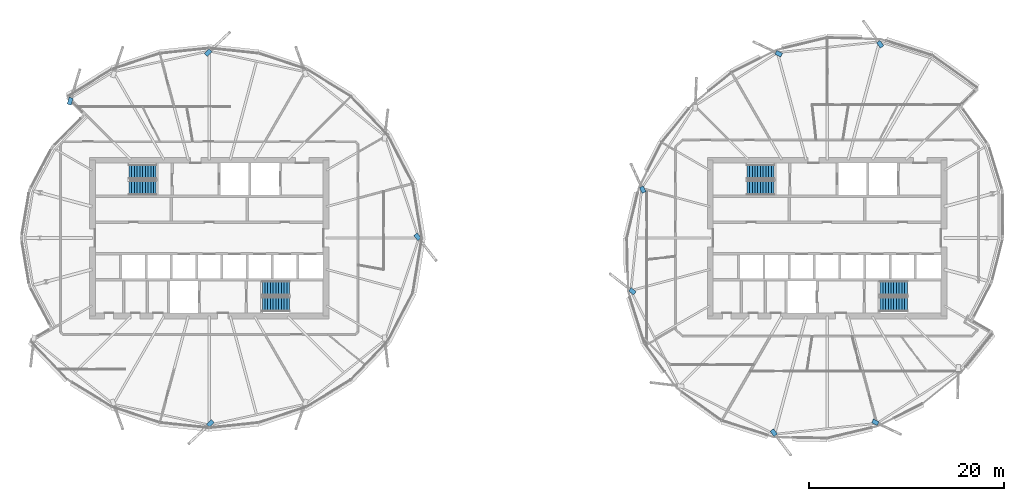
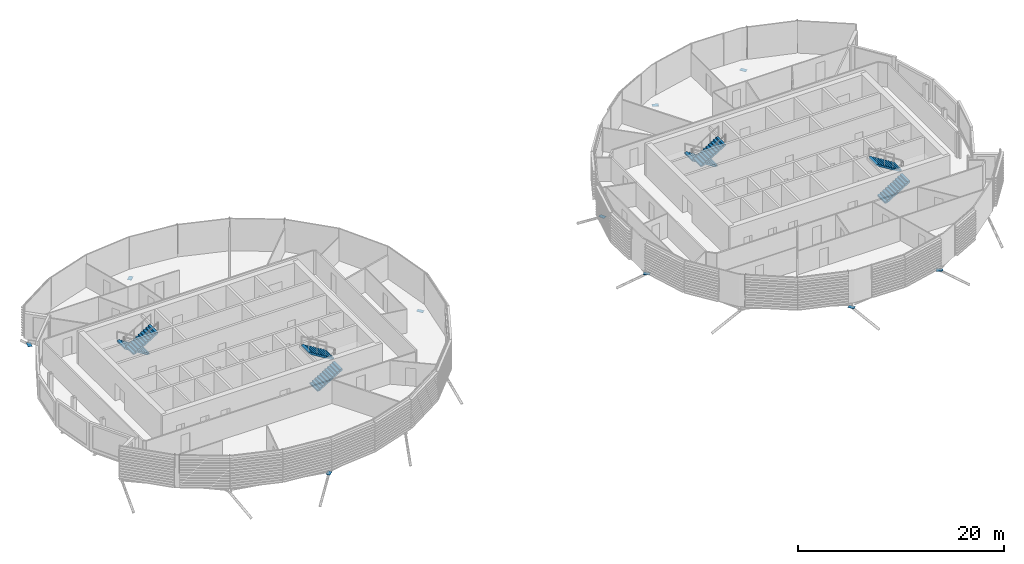
# One storey, part 25 of 36: 10 discrete accessories, 8 stair flights, 4 elements without a shape of their own.
"""IFC4 building model written with IfcOpenShell, lengths in metres."""

from ifc_helpers import new_model, si_unit, direction, frame, origin, origin_2d, place, context, subcontext, project, spatial, polyline, rectangle, outline, extrude, material, material_profile, profile_set, type_object, element, aggregate, save


model = new_model("IFC4")

# Units and contexts
model_context = context("Model", 3, precision=1e-05, world=origin(), true_north=direction((0.0, 1.0)))
body_context = subcontext(model_context, "Body", "Model", "MODEL_VIEW")
ifc_project = project(units=[si_unit("LENGTHUNIT", "METRE"), si_unit("AREAUNIT", "SQUARE_METRE"), si_unit("VOLUMEUNIT", "CUBIC_METRE"), si_unit("PLANEANGLEUNIT", "RADIAN"), si_unit("MASSUNIT", "GRAM", prefix="KILO")], contexts=[model_context])

# Site, building, storey
site_placement = place(None, origin())
site = spatial("IfcSite", under=ifc_project, at=site_placement, CompositionType="ELEMENT")
building_placement = place(site_placement, origin())
building = spatial("IfcBuilding", under=site, at=building_placement, Name="Rimbun Link Towers", CompositionType="ELEMENT")
storey_placement = place(building_placement, frame((0.0, 0.0, 189.300048828125)))
storey = spatial("IfcBuildingStorey", under=building, at=storey_placement, Name="L46", CompositionType="ELEMENT", Elevation=189.300048828125)

# Stair, stair flights
ifc_material_1 = material(Name="Concrete C40/50", Category="concrete")
stair_type = type_object("IfcStairType", Name="Exit stair 3800 rise", PredefinedType="HALF_TURN_STAIR", material=ifc_material_1)
stair_1_placement = place(storey_placement, origin())
stair_1 = element("IfcStair", 1, at=stair_1_placement, inside=storey, type_object=stair_type, Name="L46 EXIT STAIR A", PredefinedType="HALF_TURN_STAIR")
ifc_material_2 = material(Name="Concrete C40/50", Category="concrete")
stair_flight_type = type_object("IfcStairFlightType", Name="Exit stair flight 3800 rise", PredefinedType="STRAIGHT", material=ifc_material_2)
stair_flight_1_placement = place(storey_placement, frame((-37.199951171875, 6.800048828125, 0.0), z_axis=(0.0, 0.0, 1.0), x_axis=(-1.0, 0.0, 0.0)))
stair_flight_1 = element("IfcStairFlight", 2, at=stair_flight_1_placement, type_object=stair_flight_type, Name="ST1 flight 1", NumberOfRisers=11, NumberOfTreads=10, PredefinedType="STRAIGHT", RiserHeight=0.172727273, TreadLength=0.28, context=body_context, shape_type="SweptSolid", body=[
    extrude(outline(polyline([(0.0, 0.0), (0.0, 0.172607421875), (0.280029296875, 0.172607421875), (0.280029296875, 0.345458984375), (0.56005859375, 0.345458984375), (0.56005859375, 0.51806640625), (0.840087890625, 0.51806640625), (0.840087890625, 0.69091796875), (1.1201171875, 0.69091796875), (1.1201171875, 0.863525390625), (1.39990234375, 0.863525390625), (1.39990234375, 1.036376953125), (1.679931640625, 1.036376953125), (1.679931640625, 1.208984375), (1.9599609375, 1.208984375), (1.9599609375, 1.3818359375), (2.239990234375, 1.3818359375), (2.239990234375, 1.554443359375), (2.52001953125, 1.554443359375), (2.52001953125, 1.727294921875), (2.800048828125, 1.727294921875), (2.800048828125, 1.89990234375), (2.800048828125, 1.551025390625), (0.280029296875, 0.0), (0.0, 0.0)])), frame((0.0, 0.75, 0.0), z_axis=(0.0, -1.0, 0.0), x_axis=(1.0, 0.0, 0.0)), (0.0, 0.0, 1.0), 1.5),
])
stair_flight_2_placement = place(storey_placement, frame((-40.0, 5.14990234375, 1.89990234375), z_axis=(0.0, 0.0, 1.0), x_axis=(1.0, 0.0, 0.0)))
stair_flight_2 = element("IfcStairFlight", 3, at=stair_flight_2_placement, type_object=stair_flight_type, Name="ST1 flight 2", NumberOfRisers=11, NumberOfTreads=10, PredefinedType="STRAIGHT", RiserHeight=0.172727273, TreadLength=0.28, context=body_context, shape_type="SweptSolid", body=[
    extrude(outline(polyline([(0.0, 0.0), (0.0, 0.172607421875), (0.280029296875, 0.172607421875), (0.280029296875, 0.345458984375), (0.56005859375, 0.345458984375), (0.56005859375, 0.51806640625), (0.840087890625, 0.51806640625), (0.840087890625, 0.69091796875), (1.1201171875, 0.69091796875), (1.1201171875, 0.863525390625), (1.39990234375, 0.863525390625), (1.39990234375, 1.036376953125), (1.679931640625, 1.036376953125), (1.679931640625, 1.208984375), (1.9599609375, 1.208984375), (1.9599609375, 1.3818359375), (2.239990234375, 1.3818359375), (2.239990234375, 1.554443359375), (2.52001953125, 1.554443359375), (2.52001953125, 1.727294921875), (2.800048828125, 1.727294921875), (2.800048828125, 1.89990234375), (2.800048828125, 1.551025390625), (0.280029296875, 0.0), (0.0, 0.0)])), frame((0.0, 0.75, 0.0), z_axis=(0.0, -1.0, 0.0), x_axis=(1.0, 0.0, 0.0)), (0.0, 0.0, 1.0), 1.5),
])
aggregate(stair_1, [stair_flight_1, stair_flight_2])

stair_2_placement = place(storey_placement, origin())
stair_2 = element("IfcStair", 4, at=stair_2_placement, inside=storey, type_object=stair_type, Name="L46 EXIT STAIR B", PredefinedType="HALF_TURN_STAIR")
stair_flight_3_placement = place(storey_placement, frame((-26.300048828125, -6.800048828125, 0.0), z_axis=(0.0, 0.0, 1.0), x_axis=(1.0, 0.0, 0.0)))
stair_flight_3 = element("IfcStairFlight", 5, at=stair_flight_3_placement, type_object=stair_flight_type, Name="ST2 flight 1", NumberOfRisers=11, NumberOfTreads=10, PredefinedType="STRAIGHT", RiserHeight=0.172727273, TreadLength=0.28, context=body_context, shape_type="SweptSolid", body=[
    extrude(outline(polyline([(0.0, 0.0), (0.0, 0.172607421875), (0.280029296875, 0.172607421875), (0.280029296875, 0.345458984375), (0.56005859375, 0.345458984375), (0.56005859375, 0.51806640625), (0.840087890625, 0.51806640625), (0.840087890625, 0.69091796875), (1.1201171875, 0.69091796875), (1.1201171875, 0.863525390625), (1.39990234375, 0.863525390625), (1.39990234375, 1.036376953125), (1.679931640625, 1.036376953125), (1.679931640625, 1.208984375), (1.9599609375, 1.208984375), (1.9599609375, 1.3818359375), (2.239990234375, 1.3818359375), (2.239990234375, 1.554443359375), (2.52001953125, 1.554443359375), (2.52001953125, 1.727294921875), (2.800048828125, 1.727294921875), (2.800048828125, 1.89990234375), (2.800048828125, 1.551025390625), (0.280029296875, 0.0), (0.0, 0.0)])), frame((0.0, 0.75, 0.0), z_axis=(0.0, -1.0, 0.0), x_axis=(1.0, 0.0, 0.0)), (0.0, 0.0, 1.0), 1.5),
])
stair_flight_4_placement = place(storey_placement, frame((-23.5, -5.14990234375, 1.89990234375), z_axis=(0.0, 0.0, 1.0), x_axis=(-1.0, 0.0, 0.0)))
stair_flight_4 = element("IfcStairFlight", 6, at=stair_flight_4_placement, type_object=stair_flight_type, Name="ST2 flight 2", NumberOfRisers=11, NumberOfTreads=10, PredefinedType="STRAIGHT", RiserHeight=0.172727273, TreadLength=0.28, context=body_context, shape_type="SweptSolid", body=[
    extrude(outline(polyline([(0.0, 0.0), (0.0, 0.172607421875), (0.280029296875, 0.172607421875), (0.280029296875, 0.345458984375), (0.56005859375, 0.345458984375), (0.56005859375, 0.51806640625), (0.840087890625, 0.51806640625), (0.840087890625, 0.69091796875), (1.1201171875, 0.69091796875), (1.1201171875, 0.863525390625), (1.39990234375, 0.863525390625), (1.39990234375, 1.036376953125), (1.679931640625, 1.036376953125), (1.679931640625, 1.208984375), (1.9599609375, 1.208984375), (1.9599609375, 1.3818359375), (2.239990234375, 1.3818359375), (2.239990234375, 1.554443359375), (2.52001953125, 1.554443359375), (2.52001953125, 1.727294921875), (2.800048828125, 1.727294921875), (2.800048828125, 1.89990234375), (2.800048828125, 1.551025390625), (0.280029296875, 0.0), (0.0, 0.0)])), frame((0.0, 0.75, 0.0), z_axis=(0.0, -1.0, 0.0), x_axis=(1.0, 0.0, 0.0)), (0.0, 0.0, 1.0), 1.5),
])
aggregate(stair_2, [stair_flight_3, stair_flight_4])

stair_3_placement = place(storey_placement, origin())
stair_3 = element("IfcStair", 7, at=stair_3_placement, inside=storey, type_object=stair_type, Name="L46 EXIT STAIR A", PredefinedType="HALF_TURN_STAIR")
stair_flight_5_placement = place(storey_placement, frame((26.300048828125, 6.800048828125, 0.0), z_axis=(0.0, 0.0, 1.0), x_axis=(-1.0, 0.0, 0.0)))
stair_flight_5 = element("IfcStairFlight", 8, at=stair_flight_5_placement, type_object=stair_flight_type, Name="ST3 flight 1", NumberOfRisers=11, NumberOfTreads=10, PredefinedType="STRAIGHT", RiserHeight=0.172727273, TreadLength=0.28, context=body_context, shape_type="SweptSolid", body=[
    extrude(outline(polyline([(0.0, 0.0), (0.0, 0.172607421875), (0.280029296875, 0.172607421875), (0.280029296875, 0.345458984375), (0.56005859375, 0.345458984375), (0.56005859375, 0.51806640625), (0.840087890625, 0.51806640625), (0.840087890625, 0.69091796875), (1.1201171875, 0.69091796875), (1.1201171875, 0.863525390625), (1.39990234375, 0.863525390625), (1.39990234375, 1.036376953125), (1.679931640625, 1.036376953125), (1.679931640625, 1.208984375), (1.9599609375, 1.208984375), (1.9599609375, 1.3818359375), (2.239990234375, 1.3818359375), (2.239990234375, 1.554443359375), (2.52001953125, 1.554443359375), (2.52001953125, 1.727294921875), (2.800048828125, 1.727294921875), (2.800048828125, 1.89990234375), (2.800048828125, 1.551025390625), (0.280029296875, 0.0), (0.0, 0.0)])), frame((0.0, 0.75, 0.0), z_axis=(0.0, -1.0, 0.0), x_axis=(1.0, 0.0, 0.0)), (0.0, 0.0, 1.0), 1.5),
])
stair_flight_6_placement = place(storey_placement, frame((23.5, 5.14990234375, 1.89990234375), z_axis=(0.0, 0.0, 1.0), x_axis=(1.0, 0.0, 0.0)))
stair_flight_6 = element("IfcStairFlight", 9, at=stair_flight_6_placement, type_object=stair_flight_type, Name="ST3 flight 2", NumberOfRisers=11, NumberOfTreads=10, PredefinedType="STRAIGHT", RiserHeight=0.172727273, TreadLength=0.28, context=body_context, shape_type="SweptSolid", body=[
    extrude(outline(polyline([(0.0, 0.0), (0.0, 0.172607421875), (0.280029296875, 0.172607421875), (0.280029296875, 0.345458984375), (0.56005859375, 0.345458984375), (0.56005859375, 0.51806640625), (0.840087890625, 0.51806640625), (0.840087890625, 0.69091796875), (1.1201171875, 0.69091796875), (1.1201171875, 0.863525390625), (1.39990234375, 0.863525390625), (1.39990234375, 1.036376953125), (1.679931640625, 1.036376953125), (1.679931640625, 1.208984375), (1.9599609375, 1.208984375), (1.9599609375, 1.3818359375), (2.239990234375, 1.3818359375), (2.239990234375, 1.554443359375), (2.52001953125, 1.554443359375), (2.52001953125, 1.727294921875), (2.800048828125, 1.727294921875), (2.800048828125, 1.89990234375), (2.800048828125, 1.551025390625), (0.280029296875, 0.0), (0.0, 0.0)])), frame((0.0, 0.75, 0.0), z_axis=(0.0, -1.0, 0.0), x_axis=(1.0, 0.0, 0.0)), (0.0, 0.0, 1.0), 1.5),
])
aggregate(stair_3, [stair_flight_5, stair_flight_6])

stair_4_placement = place(storey_placement, origin())
stair_4 = element("IfcStair", 10, at=stair_4_placement, inside=storey, type_object=stair_type, Name="L46 EXIT STAIR B", PredefinedType="HALF_TURN_STAIR")
stair_flight_7_placement = place(storey_placement, frame((37.199951171875, -6.800048828125, 0.0), z_axis=(0.0, 0.0, 1.0), x_axis=(1.0, 0.0, 0.0)))
stair_flight_7 = element("IfcStairFlight", 11, at=stair_flight_7_placement, type_object=stair_flight_type, Name="ST4 flight 1", NumberOfRisers=11, NumberOfTreads=10, PredefinedType="STRAIGHT", RiserHeight=0.172727273, TreadLength=0.28, context=body_context, shape_type="SweptSolid", body=[
    extrude(outline(polyline([(0.0, 0.0), (0.0, 0.172607421875), (0.280029296875, 0.172607421875), (0.280029296875, 0.345458984375), (0.56005859375, 0.345458984375), (0.56005859375, 0.51806640625), (0.840087890625, 0.51806640625), (0.840087890625, 0.69091796875), (1.1201171875, 0.69091796875), (1.1201171875, 0.863525390625), (1.39990234375, 0.863525390625), (1.39990234375, 1.036376953125), (1.679931640625, 1.036376953125), (1.679931640625, 1.208984375), (1.9599609375, 1.208984375), (1.9599609375, 1.3818359375), (2.239990234375, 1.3818359375), (2.239990234375, 1.554443359375), (2.52001953125, 1.554443359375), (2.52001953125, 1.727294921875), (2.800048828125, 1.727294921875), (2.800048828125, 1.89990234375), (2.800048828125, 1.551025390625), (0.280029296875, 0.0), (0.0, 0.0)])), frame((0.0, 0.75, 0.0), z_axis=(0.0, -1.0, 0.0), x_axis=(1.0, 0.0, 0.0)), (0.0, 0.0, 1.0), 1.5),
])
stair_flight_8_placement = place(storey_placement, frame((40.0, -5.14990234375, 1.89990234375), z_axis=(0.0, 0.0, 1.0), x_axis=(-1.0, 0.0, 0.0)))
stair_flight_8 = element("IfcStairFlight", 12, at=stair_flight_8_placement, type_object=stair_flight_type, Name="ST4 flight 2", NumberOfRisers=11, NumberOfTreads=10, PredefinedType="STRAIGHT", RiserHeight=0.172727273, TreadLength=0.28, context=body_context, shape_type="SweptSolid", body=[
    extrude(outline(polyline([(0.0, 0.0), (0.0, 0.172607421875), (0.280029296875, 0.172607421875), (0.280029296875, 0.345458984375), (0.56005859375, 0.345458984375), (0.56005859375, 0.51806640625), (0.840087890625, 0.51806640625), (0.840087890625, 0.69091796875), (1.1201171875, 0.69091796875), (1.1201171875, 0.863525390625), (1.39990234375, 0.863525390625), (1.39990234375, 1.036376953125), (1.679931640625, 1.036376953125), (1.679931640625, 1.208984375), (1.9599609375, 1.208984375), (1.9599609375, 1.3818359375), (2.239990234375, 1.3818359375), (2.239990234375, 1.554443359375), (2.52001953125, 1.554443359375), (2.52001953125, 1.727294921875), (2.800048828125, 1.727294921875), (2.800048828125, 1.89990234375), (2.800048828125, 1.551025390625), (0.280029296875, 0.0), (0.0, 0.0)])), frame((0.0, 0.75, 0.0), z_axis=(0.0, -1.0, 0.0), x_axis=(1.0, 0.0, 0.0)), (0.0, 0.0, 1.0), 1.5),
])
aggregate(stair_4, [stair_flight_7, stair_flight_8])

# Discrete accessories
ifc_material_3 = material(Name="Steel S355J2H", Category="steel")
ifc_material_profile = material_profile(ifc_material_3, rectangle(XDim=0.43310546875, YDim=0.43310546875, at=origin_2d()), Name="PL 433x433")
ifc_profile_set = profile_set([ifc_material_profile], Name="Steel S355J2H")
discrete_accessory_type = type_object("IfcDiscreteAccessoryType", Name="Link head end plate 433X20", PredefinedType="BRACKET", material=ifc_profile_set)
discrete_accessory_1_placement = place(storey_placement, frame((0.0, 0.0, -0.703125)))
element("IfcDiscreteAccessory", 13, at=discrete_accessory_1_placement, inside=storey, type_object=discrete_accessory_type, Name="Link head end plate T1 L46 00", PredefinedType="BRACKET", context=body_context, shape_type="SweptSolid", body=[
    extrude(outline(polyline([(-10.7275390625, 0.2548828125), (-10.30908203125, -0.2783203125), (-9.968505859375, -0.010986328125), (-10.386962890625, 0.522216796875), (-10.7275390625, 0.2548828125)])), origin(), (0.0, 0.0, 1.0), 0.02001953125),
])
discrete_accessory_2_placement = place(storey_placement, frame((0.0, 0.0, -0.772705078125)))
element("IfcDiscreteAccessory", 14, at=discrete_accessory_2_placement, inside=storey, type_object=discrete_accessory_type, Name="Link head end plate T1 L46 06", PredefinedType="BRACKET", context=body_context, shape_type="SweptSolid", body=[
    extrude(outline(polyline([(-31.961181640625, 18.668701171875), (-31.467529296875, 19.1318359375), (-31.763916015625, 19.44775390625), (-32.257568359375, 18.984375), (-31.961181640625, 18.668701171875)])), origin(), (0.0, 0.0, 1.0), 0.02001953125),
])
discrete_accessory_3_placement = place(storey_placement, frame((0.0, 0.0, -0.62353515625)))
element("IfcDiscreteAccessory", 15, at=discrete_accessory_3_placement, inside=storey, type_object=discrete_accessory_type, Name="Link head end plate T1 L46 09", PredefinedType="BRACKET", context=body_context, shape_type="SweptSolid", body=[
    extrude(outline(polyline([(-45.9404296875, 13.64990234375), (-45.727294921875, 14.347412109375), (-46.141357421875, 14.47412109375), (-46.3544921875, 13.7763671875), (-45.9404296875, 13.64990234375)])), origin(), (0.0, 0.0, 1.0), 0.02001953125),
])
discrete_accessory_4_placement = place(storey_placement, frame((0.0, 0.0, -0.772705078125)))
element("IfcDiscreteAccessory", 16, at=discrete_accessory_4_placement, inside=storey, type_object=discrete_accessory_type, Name="Link head end plate T1 L46 18", PredefinedType="BRACKET", context=body_context, shape_type="SweptSolid", body=[
    extrude(outline(polyline([(-31.538818359375, -18.668701171875), (-32.032470703125, -19.1318359375), (-31.736083984375, -19.44775390625), (-31.242431640625, -18.984375), (-31.538818359375, -18.668701171875)])), origin(), (0.0, 0.0, 1.0), 0.02001953125),
])
discrete_accessory_5_placement = place(storey_placement, frame((0.0, 0.0, -0.853515625)))
element("IfcDiscreteAccessory", 17, at=discrete_accessory_5_placement, inside=storey, type_object=discrete_accessory_type, Name="Link head end plate T2 L46 02", PredefinedType="BRACKET", context=body_context, shape_type="SweptSolid", body=[
    extrude(outline(polyline([(37.58056640625, 19.764404296875), (37.185791015625, 20.31103515625), (36.8349609375, 20.0576171875), (37.2294921875, 19.510986328125), (37.58056640625, 19.764404296875)])), origin(), (0.0, 0.0, 1.0), 0.02001953125),
])
discrete_accessory_6_placement = place(storey_placement, frame((0.0, 0.0, -0.772705078125)))
element("IfcDiscreteAccessory", 18, at=discrete_accessory_6_placement, inside=storey, type_object=discrete_accessory_type, Name="Link head end plate T2 L46 04", PredefinedType="BRACKET", context=body_context, shape_type="SweptSolid", body=[
    extrude(outline(polyline([(27.180419921875, 18.9951171875), (26.58349609375, 19.277587890625), (26.398193359375, 18.885986328125), (26.995361328125, 18.603759765625), (27.180419921875, 18.9951171875)])), origin(), (0.0, 0.0, 1.0), 0.02001953125),
])
discrete_accessory_7_placement = place(storey_placement, frame((0.0, 0.0, -0.576416015625)))
element("IfcDiscreteAccessory", 19, at=discrete_accessory_7_placement, inside=storey, type_object=discrete_accessory_type, Name="Link head end plate T2 L46 08", PredefinedType="BRACKET", context=body_context, shape_type="SweptSolid", body=[
    extrude(outline(polyline([(13.135986328125, 4.762451171875), (12.866943359375, 5.350830078125), (12.47314453125, 5.1708984375), (12.7421875, 4.58251953125), (13.135986328125, 4.762451171875)])), origin(), (0.0, 0.0, 1.0), 0.02001953125),
])
discrete_accessory_8_placement = place(storey_placement, frame((0.0, 0.0, -0.62353515625)))
element("IfcDiscreteAccessory", 20, at=discrete_accessory_8_placement, inside=storey, type_object=discrete_accessory_type, Name="Link head end plate T2 L46 10", PredefinedType="BRACKET", context=body_context, shape_type="SweptSolid", body=[
    extrude(outline(polyline([(12.128173828125, -5.50830078125), (11.615478515625, -5.106689453125), (11.348388671875, -5.447509765625), (11.861083984375, -5.84912109375), (12.128173828125, -5.50830078125)])), origin(), (0.0, 0.0, 1.0), 0.02001953125),
])
discrete_accessory_9_placement = place(storey_placement, frame((0.0, 0.0, -0.853515625)))
element("IfcDiscreteAccessory", 21, at=discrete_accessory_9_placement, inside=storey, type_object=discrete_accessory_type, Name="Link head end plate T2 L46 14", PredefinedType="BRACKET", context=body_context, shape_type="SweptSolid", body=[
    extrude(outline(polyline([(25.894287109375, -19.867919921875), (26.29736328125, -20.39990234375), (26.642578125, -20.138427734375), (26.239501953125, -19.6064453125), (25.894287109375, -19.867919921875)])), origin(), (0.0, 0.0, 1.0), 0.02001953125),
])
discrete_accessory_10_placement = place(storey_placement, frame((0.0, 0.0, -0.772705078125)))
element("IfcDiscreteAccessory", 22, at=discrete_accessory_10_placement, inside=storey, type_object=discrete_accessory_type, Name="Link head end plate T2 L46 16", PredefinedType="BRACKET", context=body_context, shape_type="SweptSolid", body=[
    extrude(outline(polyline([(36.319580078125, -18.9951171875), (36.91650390625, -19.277587890625), (37.101806640625, -18.885986328125), (36.504638671875, -18.603759765625), (36.319580078125, -18.9951171875)])), origin(), (0.0, 0.0, 1.0), 0.02001953125),
])

save(model, "model.ifc")
